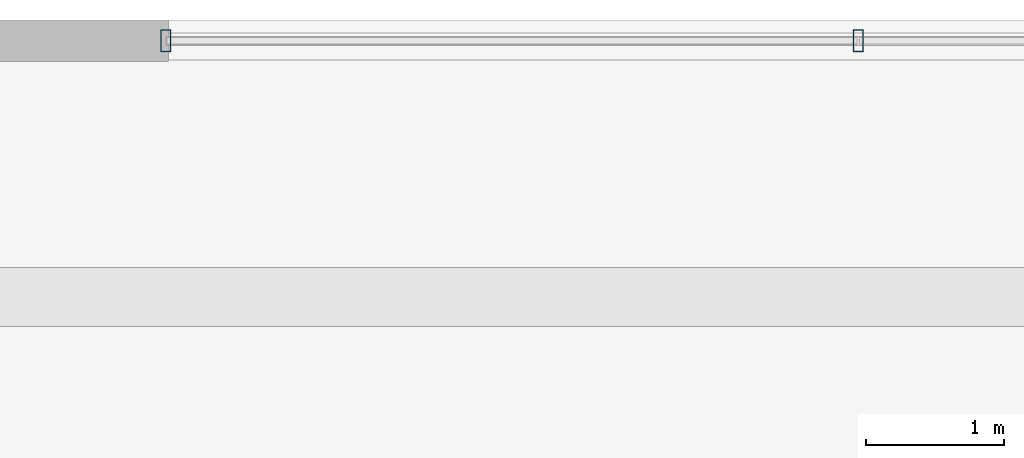
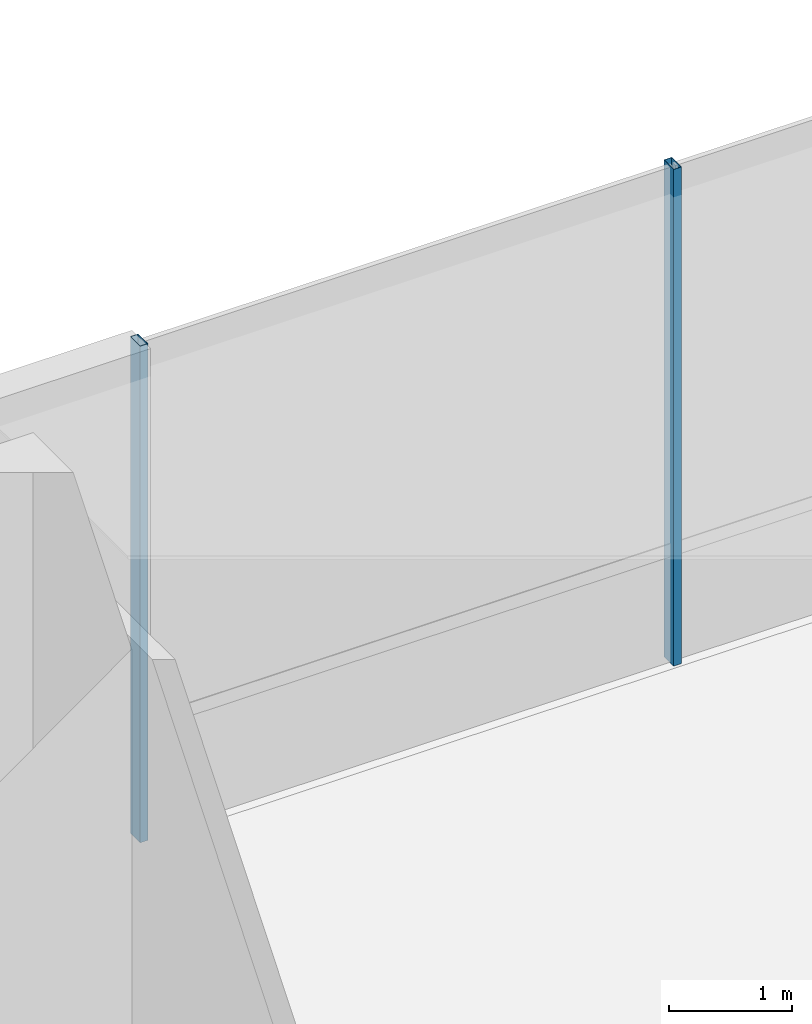
# One storey, part 14 of 39: 2 members, 1 element without a shape of its own.
"""IFC4 building model written with IfcOpenShell, lengths in metres."""

from ifc_helpers import new_model, si_unit, direction, frame, origin, origin_2d, place, context, subcontext, project, spatial, hollow_rectangle, extrude, source, transform, mapped, material, material_profile, profile_set, type_object, element, aggregate, save


model = new_model("IFC4")

# Units and contexts
model_context = context("Model", 3, precision=1e-05, world=origin(), true_north=direction((0.0, 1.0)))
body_context = subcontext(model_context, "Body", "Model", "MODEL_VIEW")
ifc_project = project(units=[si_unit("LENGTHUNIT", "METRE"), si_unit("AREAUNIT", "SQUARE_METRE"), si_unit("VOLUMEUNIT", "CUBIC_METRE"), si_unit("PLANEANGLEUNIT", "RADIAN"), si_unit("MASSUNIT", "GRAM", prefix="KILO")], contexts=[model_context])

# Site, building, storey
site_placement = place(None, origin())
site = spatial("IfcSite", under=ifc_project, at=site_placement, CompositionType="ELEMENT")
building_placement = place(site_placement, origin())
building = spatial("IfcBuilding", under=site, at=building_placement, Name="Valdorenza Pilgrim Sanctuary Tower", CompositionType="ELEMENT")
storey_placement = place(building_placement, frame((0.0, 0.0, 5.199951171875)))
storey = spatial("IfcBuildingStorey", under=building, at=storey_placement, Name="L01", CompositionType="ELEMENT", Elevation=5.199951171875)

# Curtain wall, members
ifc_material_1 = material(Name="Curtain-wall IGU glazing", Category="glass")
curtain_wall_type = type_object("IfcCurtainWallType", Name="CW-SYS-01", PredefinedType="NOTDEFINED", material=ifc_material_1)
curtain_wall_placement = place(storey_placement, origin())
curtain_wall = element("IfcCurtainWall", 1, at=curtain_wall_placement, inside=storey, type_object=curtain_wall_type, Name="L01 Curtain Wall CW-POD-L01-NN", PredefinedType="NOTDEFINED")
ifc_material_2 = material(Name="Anodised aluminium AW-6060", Category="aluminium")
ifc_material_profile = material_profile(ifc_material_2, hollow_rectangle(XDim=0.074951171875, YDim=0.159912109375, WallThickness=0.00390625, at=origin_2d()), Name="ALU-M 160x75x4")
ifc_profile_set = profile_set([ifc_material_profile], Name="Anodised aluminium AW-6060")
member_type = type_object("IfcMemberType", Name="CW-MUL-01", PredefinedType="MULLION", material=ifc_profile_set)
shared_shape = source(origin(), body_context, "Body", "SweptSolid", [
    extrude(hollow_rectangle(XDim=0.074951171875, YDim=0.159912109375, WallThickness=0.00390625, at=origin_2d()), origin(), (0.0, 0.0, 1.0), 4.920166015625),
])
member_1_placement = place(storey_placement, frame((-10.0, 22.85009765625, 0.0), z_axis=(0.0, 0.0, 1.0), x_axis=(1.0, 0.0, 0.0)))
member_1 = element("IfcMember", 2, at=member_1_placement, type_object=member_type, Name="CW-POD-L01-NN Mullion 1", PredefinedType="MULLION", context=body_context, shape_type="MappedRepresentation", body=[
    mapped(shared_shape, transform((0.0, 0.0, 0.0), x_axis=(1.0, 0.0, 0.0), y_axis=(0.0, 1.0, 0.0), z_axis=(0.0, 0.0, 1.0), scale=1.0)),
])
member_2_placement = place(storey_placement, frame((-5.0, 22.85009765625, 0.0), z_axis=(0.0, 0.0, 1.0), x_axis=(1.0, 0.0, 0.0)))
member_2 = element("IfcMember", 3, at=member_2_placement, type_object=member_type, Name="CW-POD-L01-NN Mullion 2", PredefinedType="MULLION", context=body_context, shape_type="MappedRepresentation", body=[
    mapped(shared_shape, transform((0.0, 0.0, 0.0), x_axis=(1.0, 0.0, 0.0), y_axis=(0.0, 1.0, 0.0), z_axis=(0.0, 0.0, 1.0), scale=1.0)),
])
aggregate(curtain_wall, [member_1, member_2])

save(model, "model.ifc")
